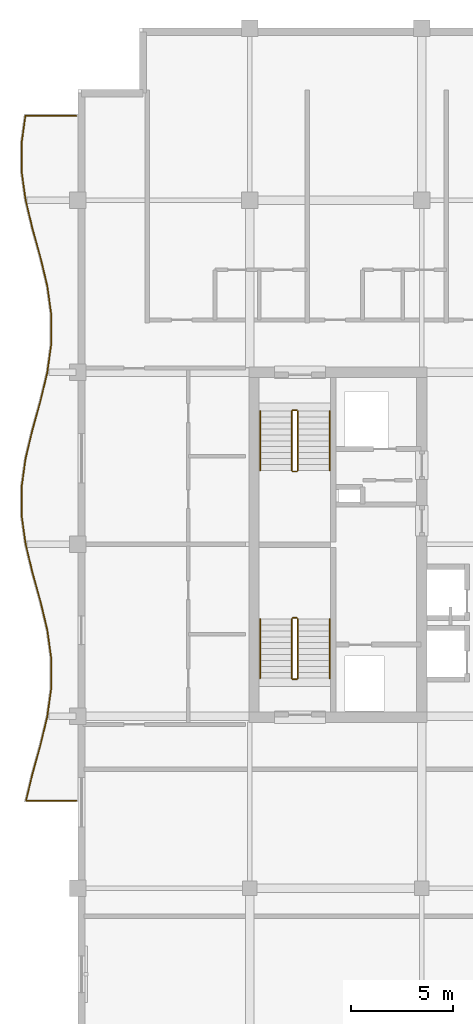
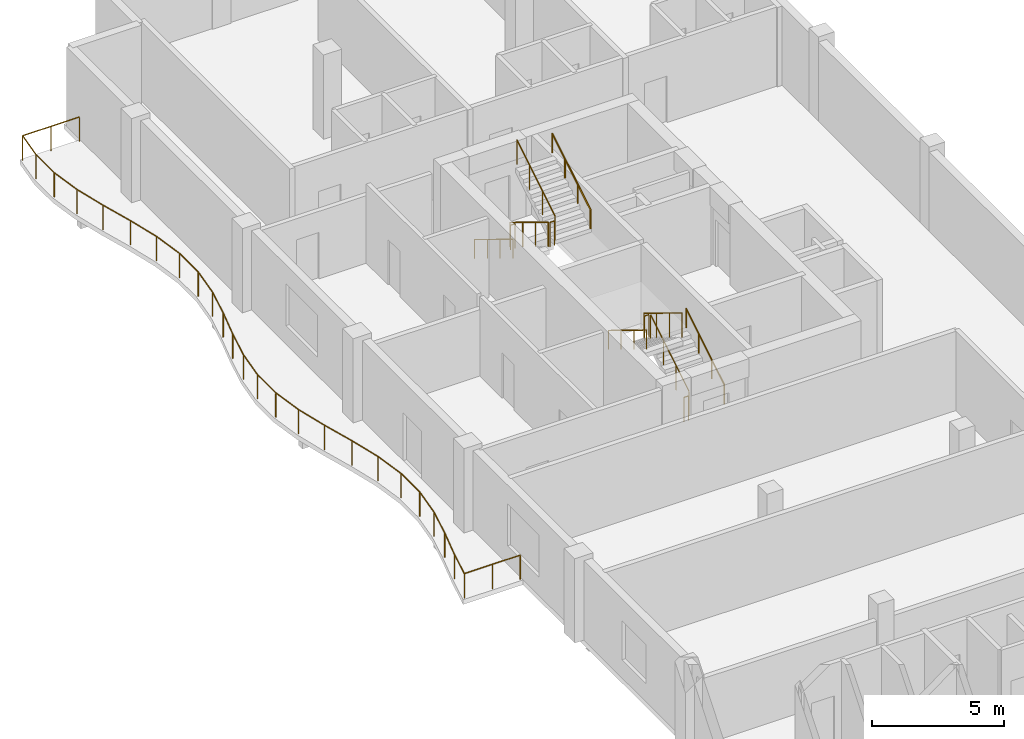
# One storey, part 12 of 12: 13 railings.
"""IFC4 building model written with IfcOpenShell, lengths in metres."""

from ifc_helpers import new_model, si_unit, direction, frame, origin, origin_2d, place, context, subcontext, project, spatial, circle, extrude, material, type_object, element, save


model = new_model("IFC4")

# Units and contexts
model_context = context("Model", 3, precision=1e-05, world=origin(), true_north=direction((0.0, 1.0)))
body_context = subcontext(model_context, "Body", "Model", "MODEL_VIEW")
ifc_project = project(units=[si_unit("LENGTHUNIT", "METRE"), si_unit("AREAUNIT", "SQUARE_METRE"), si_unit("VOLUMEUNIT", "CUBIC_METRE"), si_unit("PLANEANGLEUNIT", "RADIAN"), si_unit("MASSUNIT", "GRAM", prefix="KILO")], contexts=[model_context])

# Site, building, storey
site_placement = place(None, origin())
site = spatial("IfcSite", under=ifc_project, at=site_placement, CompositionType="ELEMENT")
building_placement = place(site_placement, origin())
building = spatial("IfcBuilding", under=site, at=building_placement, Name="Koriwani Terraces Tower", CompositionType="ELEMENT")
storey_placement = place(building_placement, frame((0.0, 0.0, 351.5)))
storey = spatial("IfcBuildingStorey", under=building, at=storey_placement, Name="L87", CompositionType="ELEMENT", Elevation=351.5)

# Railings
ifc_material = material(Name="Steel ASTM A572 Grade 50", Category="steel")
railing_type_1 = type_object("IfcRailingType", Name="GUARD_BALUSTRADE_1150", PredefinedType="BALUSTRADE", material=ifc_material)
railing_1_placement = place(storey_placement, frame((8.320068359375, 37.8798828125, 0.0)))
element("IfcRailing", 1, at=railing_1_placement, inside=storey, type_object=railing_type_1, Name="L87 Balcony Perimeter Safety Balustrade (W)", PredefinedType="BALUSTRADE", context=body_context, shape_type="SweptSolid", body=[
    extrude(circle(Radius=0.02392578125, at=origin_2d()), frame((0.0, 0.0, 1.1259765625), z_axis=(-1.0, 0.0, 0.0), x_axis=(0.0, -1.0, 0.0)), (0.0, 0.0, 1.0), 2.448974609375),
    extrude(circle(Radius=0.02392578125, at=origin_2d()), frame((-2.448974609375, 0.0, 1.1259765625), z_axis=(0.233545604015, 0.9723458494, 0.0), x_axis=(-0.9723458494, 0.233545604015, 0.0)), (0.0, 0.0, 1.0), 1.3369140625),
    extrude(circle(Radius=0.02392578125, at=origin_2d()), frame((-2.13671875, 1.300048828125, 1.1259765625), z_axis=(0.26716718525, 0.963650193341, 0.0), x_axis=(-0.963650193341, 0.26716718525, 0.0)), (0.0, 0.0, 1.0), 1.452880859375),
    extrude(circle(Radius=0.02392578125, at=origin_2d()), frame((-1.74853515625, 2.7001953125, 1.1259765625), z_axis=(0.233340999769, 0.972394970075, 0.0), x_axis=(-0.972394970075, 0.233340999769, 0.0)), (0.0, 0.0, 1.0), 1.44482421875),
    extrude(circle(Radius=0.02392578125, at=origin_2d()), frame((-1.411376953125, 4.105224609375, 1.1259765625), z_axis=(0.137264429555, 0.990534439774, 0.0), x_axis=(-0.990534439774, 0.137264429555, 0.0)), (0.0, 0.0, 1.0), 1.4228515625),
    extrude(circle(Radius=0.02392578125, at=origin_2d()), frame((-1.216064453125, 5.5146484375, 1.1259765625), z_axis=(0.0, 1.0, 0.0), x_axis=(-1.0, 0.0, 0.0)), (0.0, 0.0, 1.0), 1.410888671875),
    extrude(circle(Radius=0.02392578125, at=origin_2d()), frame((-1.216064453125, 6.925537109375, 1.1259765625), z_axis=(-0.137264429555, 0.990534439774, 0.0), x_axis=(-0.990534439774, -0.137264429555, 0.0)), (0.0, 0.0, 1.0), 1.4228515625),
    extrude(circle(Radius=0.02392578125, at=origin_2d()), frame((-1.411376953125, 8.3349609375, 1.1259765625), z_axis=(-0.233302667738, 0.972404167631, 0.0), x_axis=(-0.972404167631, -0.233302667738, 0.0)), (0.0, 0.0, 1.0), 1.445068359375),
    extrude(circle(Radius=0.02392578125, at=origin_2d()), frame((-1.74853515625, 9.740234375, 1.1259765625), z_axis=(-0.267210452187, 0.963638196753, 0.0), x_axis=(-0.963638196753, -0.267210452187, 0.0)), (0.0, 0.0, 1.0), 1.45263671875),
    extrude(circle(Radius=0.02392578125, at=origin_2d()), frame((-2.13671875, 11.14013671875, 1.1259765625), z_axis=(-0.233514568862, 0.972353303141, 0.0), x_axis=(-0.972353303141, -0.233514568862, 0.0)), (0.0, 0.0, 1.0), 1.434326171875),
    extrude(circle(Radius=0.02392578125, at=origin_2d()), frame((-2.4716796875, 12.534912109375, 1.1259765625), z_axis=(-0.137378806302, 0.990518583157, 0.0), x_axis=(-0.990518583157, -0.137378806302, 0.0)), (0.0, 0.0, 1.0), 1.404052734375),
    extrude(circle(Radius=0.02392578125, at=origin_2d()), frame((-2.66455078125, 13.925537109375, 1.1259765625), z_axis=(0.0, 1.0, 0.0), x_axis=(-1.0, 0.0, 0.0)), (0.0, 0.0, 1.0), 1.38916015625),
    extrude(circle(Radius=0.02392578125, at=origin_2d()), frame((-2.66455078125, 15.314697265625, 1.1259765625), z_axis=(0.137378806302, 0.990518583157, 0.0), x_axis=(-0.990518583157, 0.137378806302, 0.0)), (0.0, 0.0, 1.0), 1.404052734375),
    extrude(circle(Radius=0.02392578125, at=origin_2d()), frame((-2.4716796875, 16.705322265625, 1.1259765625), z_axis=(0.233514568862, 0.972353303141, 0.0), x_axis=(-0.972353303141, 0.233514568862, 0.0)), (0.0, 0.0, 1.0), 1.434326171875),
    extrude(circle(Radius=0.02392578125, at=origin_2d()), frame((-2.13671875, 18.10009765625, 1.1259765625), z_axis=(0.267210452187, 0.963638196753, 0.0), x_axis=(-0.963638196753, 0.267210452187, 0.0)), (0.0, 0.0, 1.0), 1.45263671875),
    extrude(circle(Radius=0.02392578125, at=origin_2d()), frame((-1.74853515625, 19.5, 1.1259765625), z_axis=(0.233302667738, 0.972404167631, 0.0), x_axis=(-0.972404167631, 0.233302667738, 0.0)), (0.0, 0.0, 1.0), 1.445068359375),
    extrude(circle(Radius=0.02392578125, at=origin_2d()), frame((-1.411376953125, 20.9052734375, 1.1259765625), z_axis=(0.137264429555, 0.990534439774, 0.0), x_axis=(-0.990534439774, 0.137264429555, 0.0)), (0.0, 0.0, 1.0), 1.4228515625),
    extrude(circle(Radius=0.02392578125, at=origin_2d()), frame((-1.216064453125, 22.314697265625, 1.1259765625), z_axis=(0.0, 1.0, 0.0), x_axis=(-1.0, 0.0, 0.0)), (0.0, 0.0, 1.0), 1.410888671875),
    extrude(circle(Radius=0.02392578125, at=origin_2d()), frame((-1.216064453125, 23.7255859375, 1.1259765625), z_axis=(-0.137264429555, 0.990534439774, 0.0), x_axis=(-0.990534439774, -0.137264429555, 0.0)), (0.0, 0.0, 1.0), 1.4228515625),
    extrude(circle(Radius=0.02392578125, at=origin_2d()), frame((-1.411376953125, 25.135009765625, 1.1259765625), z_axis=(-0.233340999769, 0.972394970075, 0.0), x_axis=(-0.972394970075, -0.233340999769, 0.0)), (0.0, 0.0, 1.0), 1.44482421875),
    extrude(circle(Radius=0.02392578125, at=origin_2d()), frame((-1.74853515625, 26.5400390625, 1.1259765625), z_axis=(-0.26716718525, 0.963650193341, 0.0), x_axis=(-0.963650193341, -0.26716718525, 0.0)), (0.0, 0.0, 1.0), 1.452880859375),
    extrude(circle(Radius=0.02392578125, at=origin_2d()), frame((-2.13671875, 27.940185546875, 1.1259765625), z_axis=(-0.233514568862, 0.972353303141, 0.0), x_axis=(-0.972353303141, -0.233514568862, 0.0)), (0.0, 0.0, 1.0), 1.434326171875),
    extrude(circle(Radius=0.02392578125, at=origin_2d()), frame((-2.4716796875, 29.3349609375, 1.1259765625), z_axis=(-0.137378806302, 0.990518583157, 0.0), x_axis=(-0.990518583157, -0.137378806302, 0.0)), (0.0, 0.0, 1.0), 1.404052734375),
    extrude(circle(Radius=0.02392578125, at=origin_2d()), frame((-2.66455078125, 30.7255859375, 1.1259765625), z_axis=(0.0, 1.0, 0.0), x_axis=(-1.0, 0.0, 0.0)), (0.0, 0.0, 1.0), 1.388916015625),
    extrude(circle(Radius=0.02392578125, at=origin_2d()), frame((-2.66455078125, 32.114501953125, 1.1259765625), z_axis=(0.137359576657, 0.990521249999, 0.0), x_axis=(-0.990521249999, 0.137359576657, 0.0)), (0.0, 0.0, 1.0), 1.33837890625),
    extrude(circle(Radius=0.02392578125, at=origin_2d()), frame((-2.480712890625, 33.440185546875, 1.1259765625), z_axis=(1.0, 0.0, 0.0), x_axis=(0.0, 1.0, 0.0)), (0.0, 0.0, 1.0), 2.480712890625),
    extrude(circle(Radius=0.02099609375, at=origin_2d()), origin(), (0.0, 0.0, 1.0), 1.101806640625),
    extrude(circle(Radius=0.02099609375, at=origin_2d()), frame((-1.224609375, 0.0, 0.0)), (0.0, 0.0, 1.0), 1.101806640625),
    extrude(circle(Radius=0.02099609375, at=origin_2d()), frame((-2.448974609375, 0.0, 0.0)), (0.0, 0.0, 1.0), 1.101806640625),
    extrude(circle(Radius=0.02099609375, at=origin_2d()), frame((-2.13671875, 1.300048828125, 0.0)), (0.0, 0.0, 1.0), 1.101806640625),
    extrude(circle(Radius=0.02099609375, at=origin_2d()), frame((-1.74853515625, 2.7001953125, 0.0)), (0.0, 0.0, 1.0), 1.101806640625),
    extrude(circle(Radius=0.02099609375, at=origin_2d()), frame((-1.411376953125, 4.105224609375, 0.0)), (0.0, 0.0, 1.0), 1.101806640625),
    extrude(circle(Radius=0.02099609375, at=origin_2d()), frame((-1.216064453125, 5.5146484375, 0.0)), (0.0, 0.0, 1.0), 1.101806640625),
    extrude(circle(Radius=0.02099609375, at=origin_2d()), frame((-1.216064453125, 6.925537109375, 0.0)), (0.0, 0.0, 1.0), 1.101806640625),
    extrude(circle(Radius=0.02099609375, at=origin_2d()), frame((-1.411376953125, 8.3349609375, 0.0)), (0.0, 0.0, 1.0), 1.101806640625),
    extrude(circle(Radius=0.02099609375, at=origin_2d()), frame((-1.74853515625, 9.740234375, 0.0)), (0.0, 0.0, 1.0), 1.101806640625),
    extrude(circle(Radius=0.02099609375, at=origin_2d()), frame((-2.13671875, 11.14013671875, 0.0)), (0.0, 0.0, 1.0), 1.101806640625),
    extrude(circle(Radius=0.02099609375, at=origin_2d()), frame((-2.4716796875, 12.534912109375, 0.0)), (0.0, 0.0, 1.0), 1.101806640625),
    extrude(circle(Radius=0.02099609375, at=origin_2d()), frame((-2.66455078125, 13.925537109375, 0.0)), (0.0, 0.0, 1.0), 1.101806640625),
    extrude(circle(Radius=0.02099609375, at=origin_2d()), frame((-2.66455078125, 15.314697265625, 0.0)), (0.0, 0.0, 1.0), 1.101806640625),
    extrude(circle(Radius=0.02099609375, at=origin_2d()), frame((-2.4716796875, 16.705322265625, 0.0)), (0.0, 0.0, 1.0), 1.101806640625),
    extrude(circle(Radius=0.02099609375, at=origin_2d()), frame((-2.13671875, 18.10009765625, 0.0)), (0.0, 0.0, 1.0), 1.101806640625),
    extrude(circle(Radius=0.02099609375, at=origin_2d()), frame((-1.74853515625, 19.5, 0.0)), (0.0, 0.0, 1.0), 1.101806640625),
    extrude(circle(Radius=0.02099609375, at=origin_2d()), frame((-1.411376953125, 20.9052734375, 0.0)), (0.0, 0.0, 1.0), 1.101806640625),
    extrude(circle(Radius=0.02099609375, at=origin_2d()), frame((-1.216064453125, 22.314697265625, 0.0)), (0.0, 0.0, 1.0), 1.101806640625),
    extrude(circle(Radius=0.02099609375, at=origin_2d()), frame((-1.216064453125, 23.7255859375, 0.0)), (0.0, 0.0, 1.0), 1.101806640625),
    extrude(circle(Radius=0.02099609375, at=origin_2d()), frame((-1.411376953125, 25.135009765625, 0.0)), (0.0, 0.0, 1.0), 1.101806640625),
    extrude(circle(Radius=0.02099609375, at=origin_2d()), frame((-1.74853515625, 26.5400390625, 0.0)), (0.0, 0.0, 1.0), 1.101806640625),
    extrude(circle(Radius=0.02099609375, at=origin_2d()), frame((-2.13671875, 27.940185546875, 0.0)), (0.0, 0.0, 1.0), 1.101806640625),
    extrude(circle(Radius=0.02099609375, at=origin_2d()), frame((-2.4716796875, 29.3349609375, 0.0)), (0.0, 0.0, 1.0), 1.101806640625),
    extrude(circle(Radius=0.02099609375, at=origin_2d()), frame((-2.66455078125, 30.7255859375, 0.0)), (0.0, 0.0, 1.0), 1.101806640625),
    extrude(circle(Radius=0.02099609375, at=origin_2d()), frame((-2.66455078125, 32.114501953125, 0.0)), (0.0, 0.0, 1.0), 1.101806640625),
    extrude(circle(Radius=0.02099609375, at=origin_2d()), frame((-2.480712890625, 33.440185546875, 0.0)), (0.0, 0.0, 1.0), 1.101806640625),
    extrude(circle(Radius=0.02099609375, at=origin_2d()), frame((-1.240234375, 33.440185546875, 0.0)), (0.0, 0.0, 1.0), 1.101806640625),
    extrude(circle(Radius=0.02099609375, at=origin_2d()), frame((0.0, 33.440185546875, 0.0)), (0.0, 0.0, 1.0), 1.101806640625),
])
railing_type_2 = type_object("IfcRailingType", Name="GUARD_STAIR_WELL_1120", PredefinedType="GUARDRAIL", material=ifc_material)
railing_2_placement = place(storey_placement, frame((19.14990234375, 43.85009765625, 0.17724609375)))
element("IfcRailing", 2, at=railing_2_placement, inside=storey, type_object=railing_type_2, Name="L87 ST-W1 stair guard 1", PredefinedType="GUARDRAIL", context=body_context, shape_type="SweptSolid", body=[
    extrude(circle(Radius=0.02392578125, at=origin_2d()), frame((0.0, 0.0, 1.1259765625), z_axis=(0.0, 0.853210801645, 0.521566225858), x_axis=(-1.0, 0.0, 0.0)), (0.0, 0.0, 1.0), 3.39892578125),
    extrude(circle(Radius=0.02099609375, at=origin_2d()), origin(), (0.0, 0.0, 1.0), 1.101806640625),
    extrude(circle(Radius=0.02099609375, at=origin_2d()), frame((0.0, 0.966552734375, 0.5908203125)), (0.0, 0.0, 1.0), 1.101806640625),
    extrude(circle(Radius=0.02099609375, at=origin_2d()), frame((0.0, 1.933349609375, 1.181884765625)), (0.0, 0.0, 1.0), 1.101806640625),
    extrude(circle(Radius=0.02099609375, at=origin_2d()), frame((0.0, 2.89990234375, 1.772705078125)), (0.0, 0.0, 1.0), 1.101806640625),
])
railing_3_placement = place(storey_placement, frame((19.10009765625, 46.800048828125, 1.949951171875)))
element("IfcRailing", 3, at=railing_3_placement, inside=storey, type_object=railing_type_2, Name="L87 ST-W1 stair guard 2", PredefinedType="GUARDRAIL", context=body_context, shape_type="SweptSolid", body=[
    extrude(circle(Radius=0.02392578125, at=origin_2d()), frame((0.0, 0.0, 1.1259765625), z_axis=(-1.0, 0.0, 0.0), x_axis=(0.0, -1.0, 0.0)), (0.0, 0.0, 1.0), 0.2001953125),
    extrude(circle(Radius=0.02099609375, at=origin_2d()), origin(), (0.0, 0.0, 1.0), 1.101806640625),
    extrude(circle(Radius=0.02099609375, at=origin_2d()), frame((-0.2001953125, 0.0, 0.0)), (0.0, 0.0, 1.0), 1.101806640625),
])
railing_4_placement = place(storey_placement, frame((18.85009765625, 46.75, 2.127197265625)))
element("IfcRailing", 4, at=railing_4_placement, inside=storey, type_object=railing_type_2, Name="L87 ST-W1 stair guard 3", PredefinedType="GUARDRAIL", context=body_context, shape_type="SweptSolid", body=[
    extrude(circle(Radius=0.02392578125, at=origin_2d()), frame((0.0, 0.0, 1.1259765625), z_axis=(0.0, -0.853210801645, 0.521566225858), x_axis=(1.0, 0.0, 0.0)), (0.0, 0.0, 1.0), 3.39892578125),
    extrude(circle(Radius=0.02099609375, at=origin_2d()), origin(), (0.0, 0.0, 1.0), 1.101806640625),
    extrude(circle(Radius=0.02099609375, at=origin_2d()), frame((0.0, -0.966552734375, 0.5908203125)), (0.0, 0.0, 1.0), 1.101806640625),
    extrude(circle(Radius=0.02099609375, at=origin_2d()), frame((0.0, -1.933349609375, 1.181884765625)), (0.0, 0.0, 1.0), 1.101806640625),
    extrude(circle(Radius=0.02099609375, at=origin_2d()), frame((0.0, -2.89990234375, 1.772705078125)), (0.0, 0.0, 1.0), 1.101806640625),
])
railing_5_placement = place(storey_placement, frame((19.10009765625, 43.800048828125, 0.0)))
element("IfcRailing", 5, at=railing_5_placement, inside=storey, type_object=railing_type_2, Name="L87 ST-W1 stair guard 4", PredefinedType="GUARDRAIL", context=body_context, shape_type="SweptSolid", body=[
    extrude(circle(Radius=0.02392578125, at=origin_2d()), frame((0.0, 0.0, 1.1259765625), z_axis=(-1.0, 0.0, 0.0), x_axis=(0.0, -1.0, 0.0)), (0.0, 0.0, 1.0), 0.2001953125),
    extrude(circle(Radius=0.02099609375, at=origin_2d()), origin(), (0.0, 0.0, 1.0), 1.101806640625),
    extrude(circle(Radius=0.02099609375, at=origin_2d()), frame((-0.2001953125, 0.0, 0.0)), (0.0, 0.0, 1.0), 1.101806640625),
])
railing_6_placement = place(storey_placement, frame((18.85009765625, 56.89990234375, 0.17724609375)))
element("IfcRailing", 6, at=railing_6_placement, inside=storey, type_object=railing_type_2, Name="L87 ST-W2 stair guard 1", PredefinedType="GUARDRAIL", context=body_context, shape_type="SweptSolid", body=[
    extrude(circle(Radius=0.02392578125, at=origin_2d()), frame((0.0, 0.0, 1.1259765625), z_axis=(0.0, -0.853210801645, 0.521566225858), x_axis=(1.0, 0.0, 0.0)), (0.0, 0.0, 1.0), 3.39892578125),
    extrude(circle(Radius=0.02099609375, at=origin_2d()), origin(), (0.0, 0.0, 1.0), 1.101806640625),
    extrude(circle(Radius=0.02099609375, at=origin_2d()), frame((0.0, -0.966552734375, 0.5908203125)), (0.0, 0.0, 1.0), 1.101806640625),
    extrude(circle(Radius=0.02099609375, at=origin_2d()), frame((0.0, -1.933349609375, 1.181884765625)), (0.0, 0.0, 1.0), 1.101806640625),
    extrude(circle(Radius=0.02099609375, at=origin_2d()), frame((0.0, -2.89990234375, 1.772705078125)), (0.0, 0.0, 1.0), 1.101806640625),
])
railing_7_placement = place(storey_placement, frame((18.89990234375, 53.949951171875, 1.949951171875)))
element("IfcRailing", 7, at=railing_7_placement, inside=storey, type_object=railing_type_2, Name="L87 ST-W2 stair guard 2", PredefinedType="GUARDRAIL", context=body_context, shape_type="SweptSolid", body=[
    extrude(circle(Radius=0.02392578125, at=origin_2d()), frame((0.0, 0.0, 1.1259765625), z_axis=(1.0, 0.0, 0.0), x_axis=(0.0, 1.0, 0.0)), (0.0, 0.0, 1.0), 0.2001953125),
    extrude(circle(Radius=0.02099609375, at=origin_2d()), origin(), (0.0, 0.0, 1.0), 1.101806640625),
    extrude(circle(Radius=0.02099609375, at=origin_2d()), frame((0.2001953125, 0.0, 0.0)), (0.0, 0.0, 1.0), 1.101806640625),
])
railing_8_placement = place(storey_placement, frame((19.14990234375, 54.0, 2.127197265625)))
element("IfcRailing", 8, at=railing_8_placement, inside=storey, type_object=railing_type_2, Name="L87 ST-W2 stair guard 3", PredefinedType="GUARDRAIL", context=body_context, shape_type="SweptSolid", body=[
    extrude(circle(Radius=0.02392578125, at=origin_2d()), frame((0.0, 0.0, 1.1259765625), z_axis=(0.0, 0.853210801645, 0.521566225858), x_axis=(-1.0, 0.0, 0.0)), (0.0, 0.0, 1.0), 3.39892578125),
    extrude(circle(Radius=0.02099609375, at=origin_2d()), origin(), (0.0, 0.0, 1.0), 1.101806640625),
    extrude(circle(Radius=0.02099609375, at=origin_2d()), frame((0.0, 0.966552734375, 0.5908203125)), (0.0, 0.0, 1.0), 1.101806640625),
    extrude(circle(Radius=0.02099609375, at=origin_2d()), frame((0.0, 1.933349609375, 1.181884765625)), (0.0, 0.0, 1.0), 1.101806640625),
    extrude(circle(Radius=0.02099609375, at=origin_2d()), frame((0.0, 2.89990234375, 1.772705078125)), (0.0, 0.0, 1.0), 1.101806640625),
])
railing_9_placement = place(storey_placement, frame((18.89990234375, 56.949951171875, 0.0)))
element("IfcRailing", 9, at=railing_9_placement, inside=storey, type_object=railing_type_2, Name="L87 ST-W2 stair guard 4", PredefinedType="GUARDRAIL", context=body_context, shape_type="SweptSolid", body=[
    extrude(circle(Radius=0.02392578125, at=origin_2d()), frame((0.0, 0.0, 1.1259765625), z_axis=(1.0, 0.0, 0.0), x_axis=(0.0, 1.0, 0.0)), (0.0, 0.0, 1.0), 0.2001953125),
    extrude(circle(Radius=0.02099609375, at=origin_2d()), origin(), (0.0, 0.0, 1.0), 1.101806640625),
    extrude(circle(Radius=0.02099609375, at=origin_2d()), frame((0.2001953125, 0.0, 0.0)), (0.0, 0.0, 1.0), 1.101806640625),
])
railing_type_3 = type_object("IfcRailingType", Name="HANDRAIL_STAIR_920", PredefinedType="HANDRAIL", material=ifc_material)
railing_10_placement = place(storey_placement, frame((20.699951171875, 43.85009765625, 0.17724609375)))
element("IfcRailing", 10, at=railing_10_placement, inside=storey, type_object=railing_type_3, Name="L87 ST-W1 stair handrail 1", PredefinedType="HANDRAIL", context=body_context, shape_type="SweptSolid", body=[
    extrude(circle(Radius=0.02392578125, at=origin_2d()), frame((0.0, 0.0, 0.8759765625), z_axis=(0.0, 0.853210801645, 0.521566225858), x_axis=(-1.0, 0.0, 0.0)), (0.0, 0.0, 1.0), 3.39892578125),
    extrude(circle(Radius=0.02099609375, at=origin_2d()), origin(), (0.0, 0.0, 1.0), 0.851806640625),
    extrude(circle(Radius=0.02099609375, at=origin_2d()), frame((0.0, 0.966552734375, 0.5908203125)), (0.0, 0.0, 1.0), 0.851806640625),
    extrude(circle(Radius=0.02099609375, at=origin_2d()), frame((0.0, 1.933349609375, 1.181884765625)), (0.0, 0.0, 1.0), 0.851806640625),
    extrude(circle(Radius=0.02099609375, at=origin_2d()), frame((0.0, 2.89990234375, 1.772705078125)), (0.0, 0.0, 1.0), 0.851806640625),
])
for number, where, name in (
    (11, (17.300048828125, 46.75, 2.127197265625), "L87 ST-W1 stair handrail 2"),
    (12, (17.300048828125, 56.89990234375, 0.17724609375), "L87 ST-W2 stair handrail 1"),
):
    element("IfcRailing", number, at=place(storey_placement, frame(where)), inside=storey, type_object=railing_type_3, Name=name, PredefinedType="HANDRAIL", context=body_context, shape_type="SweptSolid", body=[
        extrude(circle(Radius=0.02392578125, at=origin_2d()), frame((0.0, 0.0, 0.8759765625), z_axis=(0.0, -0.853210801645, 0.521566225858), x_axis=(1.0, 0.0, 0.0)), (0.0, 0.0, 1.0), 3.39892578125),
        extrude(circle(Radius=0.02099609375, at=origin_2d()), origin(), (0.0, 0.0, 1.0), 0.851806640625),
        extrude(circle(Radius=0.02099609375, at=origin_2d()), frame((0.0, -0.966552734375, 0.5908203125)), (0.0, 0.0, 1.0), 0.851806640625),
        extrude(circle(Radius=0.02099609375, at=origin_2d()), frame((0.0, -1.933349609375, 1.181884765625)), (0.0, 0.0, 1.0), 0.851806640625),
        extrude(circle(Radius=0.02099609375, at=origin_2d()), frame((0.0, -2.89990234375, 1.772705078125)), (0.0, 0.0, 1.0), 0.851806640625),
    ])
railing_11_placement = place(storey_placement, frame((20.699951171875, 54.0, 2.127197265625)))
element("IfcRailing", 13, at=railing_11_placement, inside=storey, type_object=railing_type_3, Name="L87 ST-W2 stair handrail 2", PredefinedType="HANDRAIL", context=body_context, shape_type="SweptSolid", body=[
    extrude(circle(Radius=0.02392578125, at=origin_2d()), frame((0.0, 0.0, 0.8759765625), z_axis=(0.0, 0.853210801645, 0.521566225858), x_axis=(-1.0, 0.0, 0.0)), (0.0, 0.0, 1.0), 3.39892578125),
    extrude(circle(Radius=0.02099609375, at=origin_2d()), origin(), (0.0, 0.0, 1.0), 0.851806640625),
    extrude(circle(Radius=0.02099609375, at=origin_2d()), frame((0.0, 0.966552734375, 0.5908203125)), (0.0, 0.0, 1.0), 0.851806640625),
    extrude(circle(Radius=0.02099609375, at=origin_2d()), frame((0.0, 1.933349609375, 1.181884765625)), (0.0, 0.0, 1.0), 0.851806640625),
    extrude(circle(Radius=0.02099609375, at=origin_2d()), frame((0.0, 2.89990234375, 1.772705078125)), (0.0, 0.0, 1.0), 0.851806640625),
])

save(model, "model.ifc")
